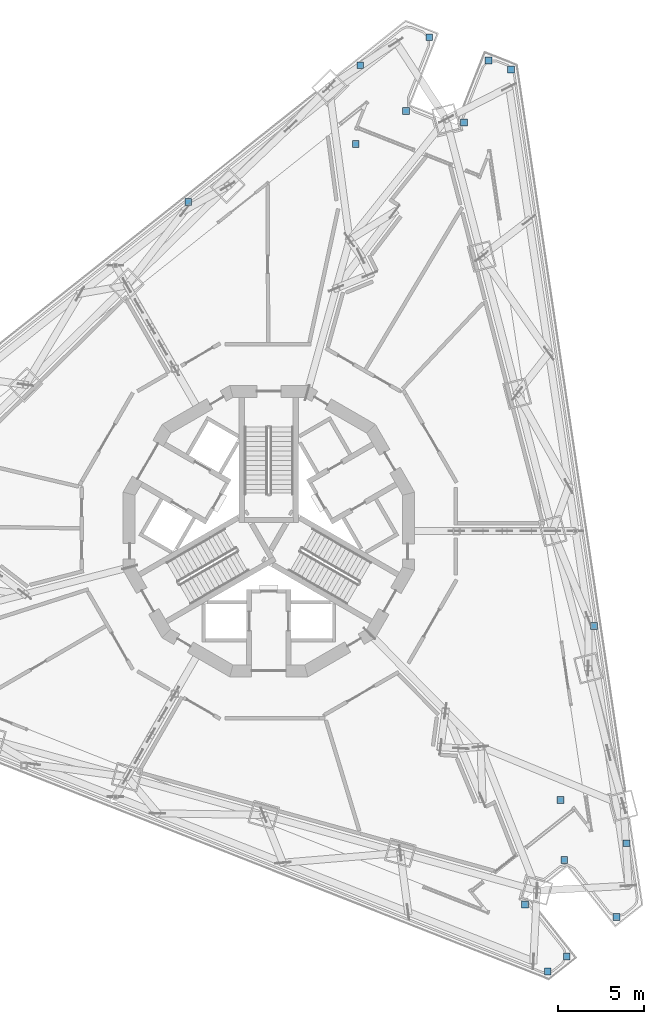
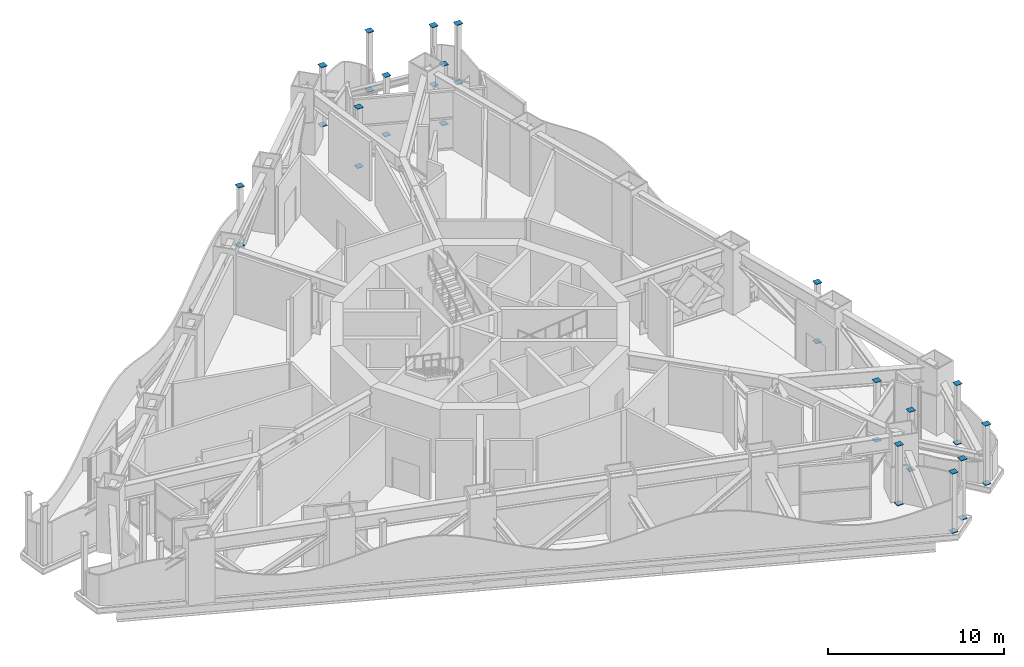
# One storey, part 17 of 27: 32 discrete accessories.
"""IFC4 building model written with IfcOpenShell, lengths in metres."""

from ifc_helpers import new_model, si_unit, direction, frame, origin, origin_2d, place, context, subcontext, project, spatial, rectangle, extrude, material, element, save


model = new_model("IFC4")

# Units and contexts
model_context = context("Model", 3, precision=1e-05, world=origin(), true_north=direction((0.0, 1.0)))
body_context = subcontext(model_context, "Body", "Model", "MODEL_VIEW")
ifc_project = project(units=[si_unit("LENGTHUNIT", "METRE"), si_unit("AREAUNIT", "SQUARE_METRE"), si_unit("VOLUMEUNIT", "CUBIC_METRE"), si_unit("PLANEANGLEUNIT", "RADIAN"), si_unit("MASSUNIT", "GRAM", prefix="KILO")], contexts=[model_context])

# Site, building, storey
site_placement = place(None, origin())
site = spatial("IfcSite", under=ifc_project, at=site_placement, CompositionType="ELEMENT")
building_placement = place(site_placement, origin())
building = spatial("IfcBuilding", under=site, at=building_placement, Name="Trine Commons Tower", CompositionType="ELEMENT")
storey_placement = place(building_placement, frame((0.0, 0.0, 230.39990234375)))
storey = spatial("IfcBuildingStorey", under=building, at=storey_placement, Name="L60", CompositionType="ELEMENT", Elevation=230.39990234375)

# Discrete accessories
ifc_material = material(Name="Structural steel ASTM A572 Gr50", Category="steel")
for number, where, z_axis, x_axis, name in (
    (1, (75.30419921875, 81.688720703125, 0.0), (0.0, 0.0, 1.0), (1.0, 0.0, 0.0), "Post base plate SP6-23"),
    (2, (75.30419921875, 81.688720703125, 4.1201171875), (0.0, 0.0, 1.0), (1.0, 0.0, 0.0), "Post cap plate SP6-23"),
    (3, (97.371337890625, 37.689453125, 0.0), (0.0, 0.0, 1.0), (1.0, 0.0, 0.0), "Post base plate SP6-31"),
    (4, (97.371337890625, 37.689453125, 4.1201171875), (0.0, 0.0, 1.0), (1.0, 0.0, 0.0), "Post cap plate SP6-31"),
    (5, (96.266357421875, 36.810302734375, 0.0), (0.0, 0.0, 1.0), (1.0, 0.0, 0.0), "Post base plate SP6-32"),
    (6, (96.266357421875, 36.810302734375, 4.1201171875), (0.0, 0.0, 1.0), (1.0, 0.0, 0.0), "Post cap plate SP6-32"),
    (7, (94.947998046875, 40.736083984375, 0.0), (0.0, 0.0, 1.0), (1.0, 0.0, 0.0), "Post base plate SP6-34"),
    (8, (94.947998046875, 40.736083984375, 4.1201171875), (0.0, 0.0, 1.0), (1.0, 0.0, 0.0), "Post cap plate SP6-34"),
    (9, (89.3583984375, 91.305419921875, 0.0), (0.0, 0.0, 1.0), (1.0, 0.0, 0.0), "Post base plate SP6-41"),
    (10, (89.3583984375, 91.305419921875, 4.1201171875), (0.0, 0.0, 1.0), (1.0, 0.0, 0.0), "Post cap plate SP6-41"),
    (11, (85.06640625, 85.072509765625, 0.0), (0.0, 0.0, 1.0), (1.0, 0.0, 0.0), "Post base plate SP6-42"),
    (12, (85.06640625, 85.072509765625, 4.1201171875), (0.0, 0.0, 1.0), (1.0, 0.0, 0.0), "Post cap plate SP6-42"),
    (13, (85.335205078125, 89.667724609375, 0.0), (0.0, 0.0, 1.0), (1.0, 0.0, 0.0), "Post base plate SP6-43"),
    (14, (85.335205078125, 89.667724609375, 4.1201171875), (0.0, 0.0, 1.0), (1.0, 0.0, 0.0), "Post cap plate SP6-43"),
    (15, (87.989990234375, 87.0078125, 0.0), (0.0, 0.0, 1.0), (1.0, 0.0, 0.0), "Post base plate SP6-44"),
    (16, (87.989990234375, 87.0078125, 4.1201171875), (0.0, 0.0, 1.0), (1.0, 0.0, 0.0), "Post cap plate SP6-44"),
    (17, (92.80078125, 89.94921875, 0.0), (0.0, 0.0, 1.0), (1.0, 0.0, 0.0), "Post base plate SP6-51"),
    (18, (92.80078125, 89.94921875, 4.1201171875), (0.0, 0.0, 1.0), (1.0, 0.0, 0.0), "Post cap plate SP6-51"),
    (19, (94.11474609375, 89.431884765625, 0.0), (0.0, 0.0, 1.0), (1.0, 0.0, 0.0), "Post base plate SP6-52"),
    (20, (94.11474609375, 89.431884765625, 4.1201171875), (0.0, 0.0, 1.0), (1.0, 0.0, 0.0), "Post cap plate SP6-52"),
    (21, (98.9658203125, 56.97216796875, 0.0), (0.0, 0.0, 1.0), (1.0, 0.0, 0.0), "Post base plate SP6-53"),
    (22, (98.9658203125, 56.97216796875, 4.1201171875), (0.0, 0.0, 1.0), (1.0, 0.0, 0.0), "Post cap plate SP6-53"),
    (23, (91.3740234375, 86.3271484375, 0.0), (0.0, 0.0, 1.0), (1.0, 0.0, 0.0), "Post base plate SP6-54"),
    (24, (91.3740234375, 86.3271484375, 4.1201171875), (0.0, 0.0, 1.0), (1.0, 0.0, 0.0), "Post cap plate SP6-54"),
    (25, (100.26708984375, 39.99267578125, 0.0), (0.0, 0.0, 1.0), (1.0, 0.0, 0.0), "Post base plate SP6-61"),
    (26, (100.26708984375, 39.99267578125, 4.1201171875), (0.0, 0.0, 1.0), (1.0, 0.0, 0.0), "Post cap plate SP6-61"),
    (27, (97.014892578125, 46.826171875, 0.0), (0.0, 0.0, 1.0), (1.0, 0.0, 0.0), "Post base plate SP6-62"),
    (28, (97.014892578125, 46.826171875, 4.1201171875), (0.0, 0.0, 1.0), (1.0, 0.0, 0.0), "Post cap plate SP6-62"),
    (29, (100.8603515625, 44.2958984375, 0.0), (0.0, 0.0, 1.0), (1.0, 0.0, 0.0), "Post base plate SP6-63"),
    (30, (100.8603515625, 44.2958984375, 4.1201171875), (0.0, 0.0, 1.0), (1.0, 0.0, 0.0), "Post cap plate SP6-63"),
    (31, (97.2294921875, 43.326416015625, 0.0), (0.0, 0.0, 1.0), (1.0, 0.0, 0.0), "Post base plate SP6-64"),
    (32, (97.2294921875, 43.326416015625, 4.1201171875), (0.0, 0.0, 1.0), (1.0, 0.0, 0.0), "Post cap plate SP6-64"),
):
    element("IfcDiscreteAccessory", number, at=place(storey_placement, frame(where, z_axis=z_axis, x_axis=x_axis)), inside=storey, material=ifc_material, Name=name, PredefinedType="BRACKET", context=body_context, shape_type="SweptSolid", body=[
        extrude(rectangle(XDim=0.39990234375, YDim=0.39990234375, at=origin_2d()), origin(), (0.0, 0.0, 1.0), 0.030029296875),
    ])

save(model, "model.ifc")
